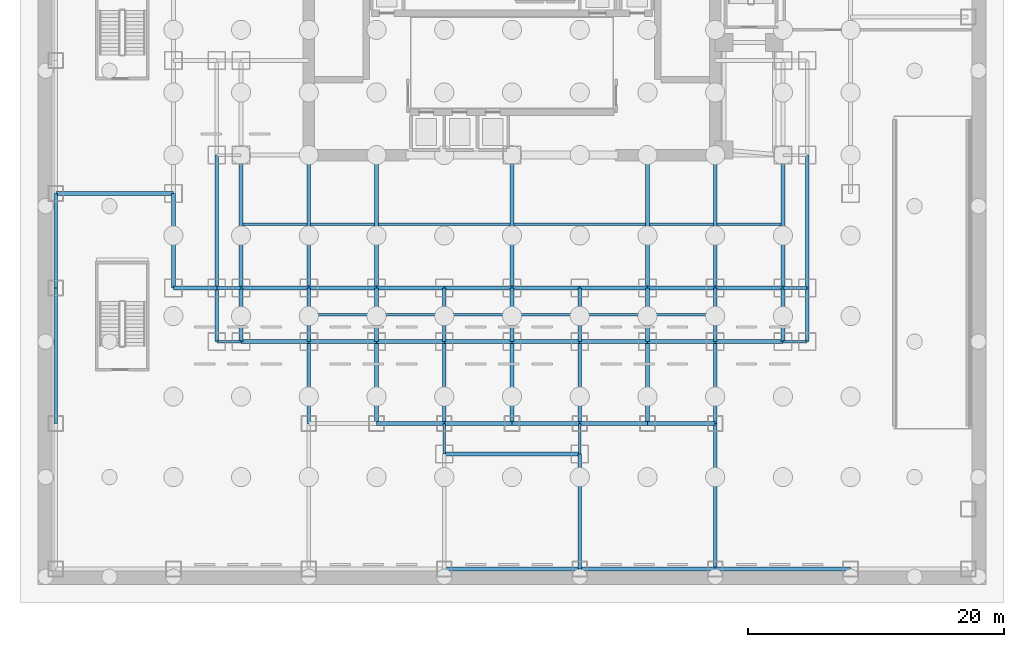
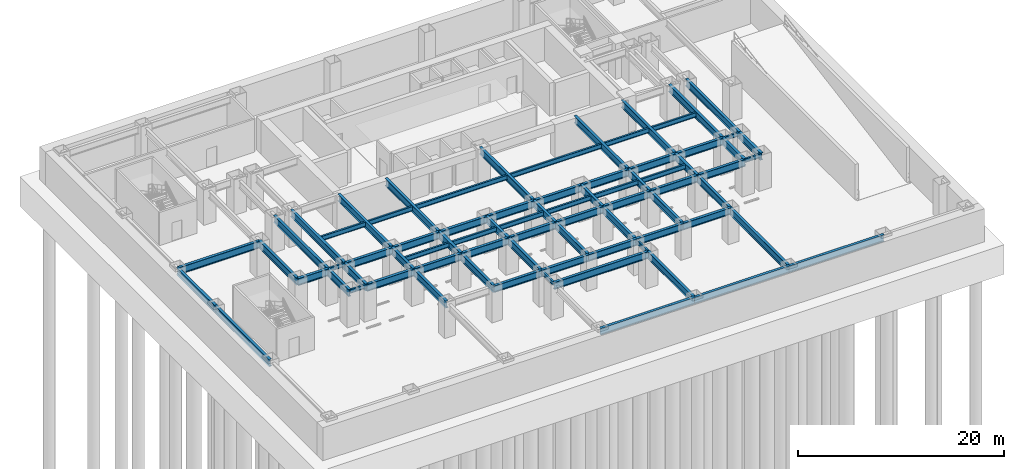
# One storey, part 2 of 7: 77 beams.
"""IFC4 building model written with IfcOpenShell, lengths in metres."""

from ifc_helpers import new_model, si_unit, direction, frame, origin, origin_2d, place, context, subcontext, project, spatial, i_section, extrude, material, material_profile, profile_set, type_object, element, save


model = new_model("IFC4")

# Units and contexts
model_context = context("Model", 3, precision=1e-05, world=origin(), true_north=direction((0.0, 1.0)))
body_context = subcontext(model_context, "Body", "Model", "MODEL_VIEW")
ifc_project = project(units=[si_unit("LENGTHUNIT", "METRE"), si_unit("AREAUNIT", "SQUARE_METRE"), si_unit("VOLUMEUNIT", "CUBIC_METRE"), si_unit("PLANEANGLEUNIT", "RADIAN"), si_unit("MASSUNIT", "GRAM", prefix="KILO")], contexts=[model_context])

# Site, building, storey
site_placement = place(None, origin())
site = spatial("IfcSite", under=ifc_project, at=site_placement, CompositionType="ELEMENT")
building_placement = place(site_placement, origin())
building = spatial("IfcBuilding", under=site, at=building_placement, Name="Qianlan Lanfeng Residences", CompositionType="ELEMENT")
storey_placement = place(building_placement, frame((0.0, 0.0, -8.39990234375)))
storey = spatial("IfcBuildingStorey", under=building, at=storey_placement, Name="B2", CompositionType="ELEMENT", Elevation=-8.39990234375)

# Beams
ifc_material = material(Name="Steel SN490B", Category="steel")
ifc_material_profile_1 = material_profile(ifc_material, i_section(OverallWidth=0.300048828125, OverallDepth=0.85009765625, WebThickness=0.01611328125, FlangeThickness=0.031982421875, at=origin_2d()), Name="H 850x300x16x32")
ifc_profile_set_1 = profile_set([ifc_material_profile_1], Name="Steel SN490B")
beam_type_1 = type_object("IfcBeamType", Name="G-1100", PredefinedType="BEAM", material=ifc_profile_set_1)
beam_1_placement = place(storey_placement, frame((21.199951171875, 1.800048828125, 3.494873046875), z_axis=(1.0, 0.0, 0.0), x_axis=(0.0, 1.0, 0.0)))
element("IfcBeam", 1, at=beam_1_placement, inside=storey, type_object=beam_type_1, Name="Structural beam G-1100", PredefinedType="BEAM", context=body_context, shape_type="SweptSolid", body=[
    extrude(i_section(OverallWidth=0.300048828125, OverallDepth=0.85009765625, WebThickness=0.01611328125, FlangeThickness=0.031982421875, at=origin_2d()), origin(), (0.0, 0.0, 1.0), 10.60009765625),
])
beam_2_placement = place(storey_placement, frame((5.300048828125, 10.60009765625, 3.494873046875), z_axis=(1.0, 0.0, 0.0), x_axis=(0.0, 1.0, 0.0)))
element("IfcBeam", 2, at=beam_2_placement, inside=storey, type_object=beam_type_1, Name="Structural beam G-1100", PredefinedType="BEAM", context=body_context, shape_type="SweptSolid", body=[
    extrude(i_section(OverallWidth=0.300048828125, OverallDepth=0.85009765625, WebThickness=0.01611328125, FlangeThickness=0.031982421875, at=origin_2d()), origin(), (0.0, 0.0, 1.0), 5.300048828125),
])
beam_3_placement = place(storey_placement, frame((10.60009765625, 10.60009765625, 3.494873046875), z_axis=(1.0, 0.0, 0.0), x_axis=(0.0, 1.0, 0.0)))
element("IfcBeam", 3, at=beam_3_placement, inside=storey, type_object=beam_type_1, Name="Structural beam G-1100", PredefinedType="BEAM", context=body_context, shape_type="SweptSolid", body=[
    extrude(i_section(OverallWidth=0.300048828125, OverallDepth=0.85009765625, WebThickness=0.01611328125, FlangeThickness=0.031982421875, at=origin_2d()), origin(), (0.0, 0.0, 1.0), 5.2998046875),
])
for number, where, z_axis, x_axis, name in (
    (4, (15.89990234375, 10.60009765625, 3.494873046875), (1.0, 0.0, 0.0), (0.0, 1.0, 0.0), "Structural beam G-1100"),
    (5, (21.199951171875, 10.60009765625, 3.494873046875), (1.0, 0.0, 0.0), (0.0, 1.0, 0.0), "Structural beam G-1100"),
    (6, (26.5, 10.60009765625, 3.494873046875), (1.0, 0.0, 0.0), (0.0, 1.0, 0.0), "Structural beam G-1100"),
    (7, (31.800048828125, 10.60009765625, 3.494873046875), (1.0, 0.0, 0.0), (0.0, 1.0, 0.0), "Structural beam G-1100"),
):
    element("IfcBeam", number, at=place(storey_placement, frame(where, z_axis=z_axis, x_axis=x_axis)), inside=storey, type_object=beam_type_1, Name=name, PredefinedType="BEAM", context=body_context, shape_type="SweptSolid", body=[
        extrude(i_section(OverallWidth=0.300048828125, OverallDepth=0.85009765625, WebThickness=0.01611328125, FlangeThickness=0.031982421875, at=origin_2d()), origin(), (0.0, 0.0, 1.0), 5.300048828125),
    ])
beam_4_placement = place(storey_placement, frame((37.10009765625, 10.60009765625, 3.494873046875), z_axis=(1.0, 0.0, 0.0), x_axis=(0.0, 1.0, 0.0)))
element("IfcBeam", 8, at=beam_4_placement, inside=storey, type_object=beam_type_1, Name="Structural beam G-1100", PredefinedType="BEAM", context=body_context, shape_type="SweptSolid", body=[
    extrude(i_section(OverallWidth=0.300048828125, OverallDepth=0.85009765625, WebThickness=0.01611328125, FlangeThickness=0.031982421875, at=origin_2d()), origin(), (0.0, 0.0, 1.0), 5.2998046875),
])
beam_5_placement = place(storey_placement, frame((42.39990234375, 10.60009765625, 3.494873046875), z_axis=(1.0, 0.0, 0.0), x_axis=(0.0, 1.0, 0.0)))
element("IfcBeam", 9, at=beam_5_placement, inside=storey, type_object=beam_type_1, Name="Structural beam G-1100", PredefinedType="BEAM", context=body_context, shape_type="SweptSolid", body=[
    extrude(i_section(OverallWidth=0.300048828125, OverallDepth=0.85009765625, WebThickness=0.01611328125, FlangeThickness=0.031982421875, at=origin_2d()), origin(), (0.0, 0.0, 1.0), 5.300048828125),
])
beam_6_placement = place(storey_placement, frame((0.0, 14.800048828125, 3.494873046875), z_axis=(1.0, 0.0, 0.0), x_axis=(0.0, 1.0, 0.0)))
element("IfcBeam", 10, at=beam_6_placement, inside=storey, type_object=beam_type_1, Name="Structural beam G-1100", PredefinedType="BEAM", context=body_context, shape_type="SweptSolid", body=[
    extrude(i_section(OverallWidth=0.300048828125, OverallDepth=0.85009765625, WebThickness=0.01611328125, FlangeThickness=0.031982421875, at=origin_2d()), origin(), (0.0, 0.0, 1.0), 3.39990234375),
])
beam_7_placement = place(storey_placement, frame((5.300048828125, 14.800048828125, 3.494873046875), z_axis=(1.0, 0.0, 0.0), x_axis=(0.0, 1.0, 0.0)))
element("IfcBeam", 11, at=beam_7_placement, inside=storey, type_object=beam_type_1, Name="Structural beam G-1100", PredefinedType="BEAM", context=body_context, shape_type="SweptSolid", body=[
    extrude(i_section(OverallWidth=0.300048828125, OverallDepth=0.85009765625, WebThickness=0.01611328125, FlangeThickness=0.031982421875, at=origin_2d()), origin(), (0.0, 0.0, 1.0), 5.300048828125),
])
beam_8_placement = place(storey_placement, frame((10.60009765625, 14.800048828125, 3.494873046875), z_axis=(1.0, 0.0, 0.0), x_axis=(0.0, 1.0, 0.0)))
element("IfcBeam", 12, at=beam_8_placement, inside=storey, type_object=beam_type_1, Name="Structural beam G-1100", PredefinedType="BEAM", context=body_context, shape_type="SweptSolid", body=[
    extrude(i_section(OverallWidth=0.300048828125, OverallDepth=0.85009765625, WebThickness=0.01611328125, FlangeThickness=0.031982421875, at=origin_2d()), origin(), (0.0, 0.0, 1.0), 5.2998046875),
])
for number, where, z_axis, x_axis, name in (
    (13, (15.89990234375, 14.800048828125, 3.494873046875), (1.0, 0.0, 0.0), (0.0, 1.0, 0.0), "Structural beam G-1100"),
    (14, (21.199951171875, 14.800048828125, 3.494873046875), (1.0, 0.0, 0.0), (0.0, 1.0, 0.0), "Structural beam G-1100"),
    (15, (26.5, 14.800048828125, 3.494873046875), (1.0, 0.0, 0.0), (0.0, 1.0, 0.0), "Structural beam G-1100"),
    (16, (31.800048828125, 14.800048828125, 3.494873046875), (1.0, 0.0, 0.0), (0.0, 1.0, 0.0), "Structural beam G-1100"),
):
    element("IfcBeam", number, at=place(storey_placement, frame(where, z_axis=z_axis, x_axis=x_axis)), inside=storey, type_object=beam_type_1, Name=name, PredefinedType="BEAM", context=body_context, shape_type="SweptSolid", body=[
        extrude(i_section(OverallWidth=0.300048828125, OverallDepth=0.85009765625, WebThickness=0.01611328125, FlangeThickness=0.031982421875, at=origin_2d()), origin(), (0.0, 0.0, 1.0), 5.300048828125),
    ])
beam_9_placement = place(storey_placement, frame((37.10009765625, 14.800048828125, 3.494873046875), z_axis=(1.0, 0.0, 0.0), x_axis=(0.0, 1.0, 0.0)))
element("IfcBeam", 17, at=beam_9_placement, inside=storey, type_object=beam_type_1, Name="Structural beam G-1100", PredefinedType="BEAM", context=body_context, shape_type="SweptSolid", body=[
    extrude(i_section(OverallWidth=0.300048828125, OverallDepth=0.85009765625, WebThickness=0.01611328125, FlangeThickness=0.031982421875, at=origin_2d()), origin(), (0.0, 0.0, 1.0), 5.2998046875),
])
beam_10_placement = place(storey_placement, frame((42.39990234375, 14.800048828125, 3.494873046875), z_axis=(1.0, 0.0, 0.0), x_axis=(0.0, 1.0, 0.0)))
element("IfcBeam", 18, at=beam_10_placement, inside=storey, type_object=beam_type_1, Name="Structural beam G-1100", PredefinedType="BEAM", context=body_context, shape_type="SweptSolid", body=[
    extrude(i_section(OverallWidth=0.300048828125, OverallDepth=0.85009765625, WebThickness=0.01611328125, FlangeThickness=0.031982421875, at=origin_2d()), origin(), (0.0, 0.0, 1.0), 5.300048828125),
])
beam_11_placement = place(storey_placement, frame((-9.199951171875, 22.199951171875, 3.494873046875), z_axis=(1.0, 0.0, 0.0), x_axis=(0.0, 1.0, 0.0)))
element("IfcBeam", 19, at=beam_11_placement, inside=storey, type_object=beam_type_1, Name="Structural beam G-1100", PredefinedType="BEAM", context=body_context, shape_type="SweptSolid", body=[
    extrude(i_section(OverallWidth=0.300048828125, OverallDepth=0.85009765625, WebThickness=0.01611328125, FlangeThickness=0.031982421875, at=origin_2d()), origin(), (0.0, 0.0, 1.0), 9.199951171875),
])
beam_12_placement = place(storey_placement, frame((-9.199951171875, 4.199951171875, 3.494873046875), z_axis=(0.0, 1.0, 0.0), x_axis=(-1.0, 0.0, 0.0)))
element("IfcBeam", 20, at=beam_12_placement, inside=storey, type_object=beam_type_1, Name="Structural beam G-1100", PredefinedType="BEAM", context=body_context, shape_type="SweptSolid", body=[
    extrude(i_section(OverallWidth=0.300048828125, OverallDepth=0.85009765625, WebThickness=0.01611328125, FlangeThickness=0.031982421875, at=origin_2d()), origin(), (0.0, 0.0, 1.0), 10.60009765625),
])
for number, where, z_axis, x_axis, name in (
    (21, (-9.199951171875, 14.800048828125, 3.494873046875), (0.0, 1.0, 0.0), (-1.0, 0.0, 0.0), "Structural beam G-1100"),
    (22, (0.0, 14.800048828125, 3.494873046875), (0.0, 1.0, 0.0), (-1.0, 0.0, 0.0), "Structural beam G-1100"),
):
    element("IfcBeam", number, at=place(storey_placement, frame(where, z_axis=z_axis, x_axis=x_axis)), inside=storey, type_object=beam_type_1, Name=name, PredefinedType="BEAM", context=body_context, shape_type="SweptSolid", body=[
        extrude(i_section(OverallWidth=0.300048828125, OverallDepth=0.85009765625, WebThickness=0.01611328125, FlangeThickness=0.031982421875, at=origin_2d()), origin(), (0.0, 0.0, 1.0), 7.39990234375),
    ])
beam_13_placement = place(storey_placement, frame((3.39990234375, 10.60009765625, 3.494873046875), z_axis=(0.0, 1.0, 0.0), x_axis=(-1.0, 0.0, 0.0)))
element("IfcBeam", 23, at=beam_13_placement, inside=storey, type_object=beam_type_1, Name="Structural beam G-1100", PredefinedType="BEAM", context=body_context, shape_type="SweptSolid", body=[
    extrude(i_section(OverallWidth=0.300048828125, OverallDepth=0.85009765625, WebThickness=0.01611328125, FlangeThickness=0.031982421875, at=origin_2d()), origin(), (0.0, 0.0, 1.0), 4.199951171875),
])
beam_14_placement = place(storey_placement, frame((3.39990234375, 14.800048828125, 3.494873046875), z_axis=(0.0, 1.0, 0.0), x_axis=(-1.0, 0.0, 0.0)))
element("IfcBeam", 24, at=beam_14_placement, inside=storey, type_object=beam_type_1, Name="Structural beam G-1100", PredefinedType="BEAM", context=body_context, shape_type="SweptSolid", body=[
    extrude(i_section(OverallWidth=0.300048828125, OverallDepth=0.85009765625, WebThickness=0.01611328125, FlangeThickness=0.031982421875, at=origin_2d()), origin(), (0.0, 0.0, 1.0), 10.39990234375),
])
beam_15_placement = place(storey_placement, frame((5.300048828125, 10.60009765625, 3.494873046875), z_axis=(0.0, 1.0, 0.0), x_axis=(-1.0, 0.0, 0.0)))
element("IfcBeam", 25, at=beam_15_placement, inside=storey, type_object=beam_type_1, Name="Structural beam G-1100", PredefinedType="BEAM", context=body_context, shape_type="SweptSolid", body=[
    extrude(i_section(OverallWidth=0.300048828125, OverallDepth=0.85009765625, WebThickness=0.01611328125, FlangeThickness=0.031982421875, at=origin_2d()), origin(), (0.0, 0.0, 1.0), 4.199951171875),
])
beam_16_placement = place(storey_placement, frame((5.300048828125, 14.800048828125, 3.494873046875), z_axis=(0.0, 1.0, 0.0), x_axis=(-1.0, 0.0, 0.0)))
element("IfcBeam", 26, at=beam_16_placement, inside=storey, type_object=beam_type_1, Name="Structural beam G-1100", PredefinedType="BEAM", context=body_context, shape_type="SweptSolid", body=[
    extrude(i_section(OverallWidth=0.300048828125, OverallDepth=0.85009765625, WebThickness=0.01611328125, FlangeThickness=0.031982421875, at=origin_2d()), origin(), (0.0, 0.0, 1.0), 10.39990234375),
])
beam_17_placement = place(storey_placement, frame((10.60009765625, 4.199951171875, 3.494873046875), z_axis=(0.0, 1.0, 0.0), x_axis=(-1.0, 0.0, 0.0)))
element("IfcBeam", 27, at=beam_17_placement, inside=storey, type_object=beam_type_1, Name="Structural beam G-1100", PredefinedType="BEAM", context=body_context, shape_type="SweptSolid", body=[
    extrude(i_section(OverallWidth=0.300048828125, OverallDepth=0.85009765625, WebThickness=0.01611328125, FlangeThickness=0.031982421875, at=origin_2d()), origin(), (0.0, 0.0, 1.0), 6.400146484375),
])
beam_18_placement = place(storey_placement, frame((10.60009765625, 10.60009765625, 3.494873046875), z_axis=(0.0, 1.0, 0.0), x_axis=(-1.0, 0.0, 0.0)))
element("IfcBeam", 28, at=beam_18_placement, inside=storey, type_object=beam_type_1, Name="Structural beam G-1100", PredefinedType="BEAM", context=body_context, shape_type="SweptSolid", body=[
    extrude(i_section(OverallWidth=0.300048828125, OverallDepth=0.85009765625, WebThickness=0.01611328125, FlangeThickness=0.031982421875, at=origin_2d()), origin(), (0.0, 0.0, 1.0), 4.199951171875),
])
beam_19_placement = place(storey_placement, frame((10.60009765625, 14.800048828125, 3.494873046875), z_axis=(0.0, 1.0, 0.0), x_axis=(-1.0, 0.0, 0.0)))
element("IfcBeam", 29, at=beam_19_placement, inside=storey, type_object=beam_type_1, Name="Structural beam G-1100", PredefinedType="BEAM", context=body_context, shape_type="SweptSolid", body=[
    extrude(i_section(OverallWidth=0.300048828125, OverallDepth=0.85009765625, WebThickness=0.01611328125, FlangeThickness=0.031982421875, at=origin_2d()), origin(), (0.0, 0.0, 1.0), 10.39990234375),
])
beam_20_placement = place(storey_placement, frame((15.89990234375, 4.199951171875, 3.494873046875), z_axis=(0.0, 1.0, 0.0), x_axis=(-1.0, 0.0, 0.0)))
element("IfcBeam", 30, at=beam_20_placement, inside=storey, type_object=beam_type_1, Name="Structural beam G-1100", PredefinedType="BEAM", context=body_context, shape_type="SweptSolid", body=[
    extrude(i_section(OverallWidth=0.300048828125, OverallDepth=0.85009765625, WebThickness=0.01611328125, FlangeThickness=0.031982421875, at=origin_2d()), origin(), (0.0, 0.0, 1.0), 6.400146484375),
])
beam_21_placement = place(storey_placement, frame((15.89990234375, 10.60009765625, 3.494873046875), z_axis=(0.0, 1.0, 0.0), x_axis=(-1.0, 0.0, 0.0)))
element("IfcBeam", 31, at=beam_21_placement, inside=storey, type_object=beam_type_1, Name="Structural beam G-1100", PredefinedType="BEAM", context=body_context, shape_type="SweptSolid", body=[
    extrude(i_section(OverallWidth=0.300048828125, OverallDepth=0.85009765625, WebThickness=0.01611328125, FlangeThickness=0.031982421875, at=origin_2d()), origin(), (0.0, 0.0, 1.0), 4.199951171875),
])
beam_22_placement = place(storey_placement, frame((15.89990234375, 14.800048828125, 3.494873046875), z_axis=(0.0, 1.0, 0.0), x_axis=(-1.0, 0.0, 0.0)))
element("IfcBeam", 32, at=beam_22_placement, inside=storey, type_object=beam_type_1, Name="Structural beam G-1100", PredefinedType="BEAM", context=body_context, shape_type="SweptSolid", body=[
    extrude(i_section(OverallWidth=0.300048828125, OverallDepth=0.85009765625, WebThickness=0.01611328125, FlangeThickness=0.031982421875, at=origin_2d()), origin(), (0.0, 0.0, 1.0), 10.39990234375),
])
beam_23_placement = place(storey_placement, frame((21.199951171875, 4.199951171875, 3.494873046875), z_axis=(0.0, 1.0, 0.0), x_axis=(-1.0, 0.0, 0.0)))
element("IfcBeam", 33, at=beam_23_placement, inside=storey, type_object=beam_type_1, Name="Structural beam G-1100", PredefinedType="BEAM", context=body_context, shape_type="SweptSolid", body=[
    extrude(i_section(OverallWidth=0.300048828125, OverallDepth=0.85009765625, WebThickness=0.01611328125, FlangeThickness=0.031982421875, at=origin_2d()), origin(), (0.0, 0.0, 1.0), 6.400146484375),
])
beam_24_placement = place(storey_placement, frame((21.199951171875, 10.60009765625, 3.494873046875), z_axis=(0.0, 1.0, 0.0), x_axis=(-1.0, 0.0, 0.0)))
element("IfcBeam", 34, at=beam_24_placement, inside=storey, type_object=beam_type_1, Name="Structural beam G-1100", PredefinedType="BEAM", context=body_context, shape_type="SweptSolid", body=[
    extrude(i_section(OverallWidth=0.300048828125, OverallDepth=0.85009765625, WebThickness=0.01611328125, FlangeThickness=0.031982421875, at=origin_2d()), origin(), (0.0, 0.0, 1.0), 4.199951171875),
])
beam_25_placement = place(storey_placement, frame((26.5, 4.199951171875, 3.494873046875), z_axis=(0.0, 1.0, 0.0), x_axis=(-1.0, 0.0, 0.0)))
element("IfcBeam", 35, at=beam_25_placement, inside=storey, type_object=beam_type_1, Name="Structural beam G-1100", PredefinedType="BEAM", context=body_context, shape_type="SweptSolid", body=[
    extrude(i_section(OverallWidth=0.300048828125, OverallDepth=0.85009765625, WebThickness=0.01611328125, FlangeThickness=0.031982421875, at=origin_2d()), origin(), (0.0, 0.0, 1.0), 6.400146484375),
])
beam_26_placement = place(storey_placement, frame((26.5, 10.60009765625, 3.494873046875), z_axis=(0.0, 1.0, 0.0), x_axis=(-1.0, 0.0, 0.0)))
element("IfcBeam", 36, at=beam_26_placement, inside=storey, type_object=beam_type_1, Name="Structural beam G-1100", PredefinedType="BEAM", context=body_context, shape_type="SweptSolid", body=[
    extrude(i_section(OverallWidth=0.300048828125, OverallDepth=0.85009765625, WebThickness=0.01611328125, FlangeThickness=0.031982421875, at=origin_2d()), origin(), (0.0, 0.0, 1.0), 4.199951171875),
])
beam_27_placement = place(storey_placement, frame((26.5, 14.800048828125, 3.494873046875), z_axis=(0.0, 1.0, 0.0), x_axis=(-1.0, 0.0, 0.0)))
element("IfcBeam", 37, at=beam_27_placement, inside=storey, type_object=beam_type_1, Name="Structural beam G-1100", PredefinedType="BEAM", context=body_context, shape_type="SweptSolid", body=[
    extrude(i_section(OverallWidth=0.300048828125, OverallDepth=0.85009765625, WebThickness=0.01611328125, FlangeThickness=0.031982421875, at=origin_2d()), origin(), (0.0, 0.0, 1.0), 10.39990234375),
])
beam_28_placement = place(storey_placement, frame((31.800048828125, -7.199951171875, 3.494873046875), z_axis=(0.0, 1.0, 0.0), x_axis=(-1.0, 0.0, 0.0)))
element("IfcBeam", 38, at=beam_28_placement, inside=storey, type_object=beam_type_1, Name="Structural beam G-1100", PredefinedType="BEAM", context=body_context, shape_type="SweptSolid", body=[
    extrude(i_section(OverallWidth=0.300048828125, OverallDepth=0.85009765625, WebThickness=0.01611328125, FlangeThickness=0.031982421875, at=origin_2d()), origin(), (0.0, 0.0, 1.0), 9.0),
])
beam_29_placement = place(storey_placement, frame((31.800048828125, 4.199951171875, 3.494873046875), z_axis=(0.0, 1.0, 0.0), x_axis=(-1.0, 0.0, 0.0)))
element("IfcBeam", 39, at=beam_29_placement, inside=storey, type_object=beam_type_1, Name="Structural beam G-1100", PredefinedType="BEAM", context=body_context, shape_type="SweptSolid", body=[
    extrude(i_section(OverallWidth=0.300048828125, OverallDepth=0.85009765625, WebThickness=0.01611328125, FlangeThickness=0.031982421875, at=origin_2d()), origin(), (0.0, 0.0, 1.0), 6.400146484375),
])
beam_30_placement = place(storey_placement, frame((31.800048828125, 10.60009765625, 3.494873046875), z_axis=(0.0, 1.0, 0.0), x_axis=(-1.0, 0.0, 0.0)))
element("IfcBeam", 40, at=beam_30_placement, inside=storey, type_object=beam_type_1, Name="Structural beam G-1100", PredefinedType="BEAM", context=body_context, shape_type="SweptSolid", body=[
    extrude(i_section(OverallWidth=0.300048828125, OverallDepth=0.85009765625, WebThickness=0.01611328125, FlangeThickness=0.031982421875, at=origin_2d()), origin(), (0.0, 0.0, 1.0), 4.199951171875),
])
beam_31_placement = place(storey_placement, frame((37.10009765625, 4.199951171875, 3.494873046875), z_axis=(0.0, 1.0, 0.0), x_axis=(-1.0, 0.0, 0.0)))
element("IfcBeam", 41, at=beam_31_placement, inside=storey, type_object=beam_type_1, Name="Structural beam G-1100", PredefinedType="BEAM", context=body_context, shape_type="SweptSolid", body=[
    extrude(i_section(OverallWidth=0.300048828125, OverallDepth=0.85009765625, WebThickness=0.01611328125, FlangeThickness=0.031982421875, at=origin_2d()), origin(), (0.0, 0.0, 1.0), 6.400146484375),
])
beam_32_placement = place(storey_placement, frame((37.10009765625, 10.60009765625, 3.494873046875), z_axis=(0.0, 1.0, 0.0), x_axis=(-1.0, 0.0, 0.0)))
element("IfcBeam", 42, at=beam_32_placement, inside=storey, type_object=beam_type_1, Name="Structural beam G-1100", PredefinedType="BEAM", context=body_context, shape_type="SweptSolid", body=[
    extrude(i_section(OverallWidth=0.300048828125, OverallDepth=0.85009765625, WebThickness=0.01611328125, FlangeThickness=0.031982421875, at=origin_2d()), origin(), (0.0, 0.0, 1.0), 4.199951171875),
])
beam_33_placement = place(storey_placement, frame((37.10009765625, 14.800048828125, 3.494873046875), z_axis=(0.0, 1.0, 0.0), x_axis=(-1.0, 0.0, 0.0)))
element("IfcBeam", 43, at=beam_33_placement, inside=storey, type_object=beam_type_1, Name="Structural beam G-1100", PredefinedType="BEAM", context=body_context, shape_type="SweptSolid", body=[
    extrude(i_section(OverallWidth=0.300048828125, OverallDepth=0.85009765625, WebThickness=0.01611328125, FlangeThickness=0.031982421875, at=origin_2d()), origin(), (0.0, 0.0, 1.0), 10.39990234375),
])
beam_34_placement = place(storey_placement, frame((42.39990234375, -7.199951171875, 3.494873046875), z_axis=(0.0, 1.0, 0.0), x_axis=(-1.0, 0.0, 0.0)))
element("IfcBeam", 44, at=beam_34_placement, inside=storey, type_object=beam_type_1, Name="Structural beam G-1100", PredefinedType="BEAM", context=body_context, shape_type="SweptSolid", body=[
    extrude(i_section(OverallWidth=0.300048828125, OverallDepth=0.85009765625, WebThickness=0.01611328125, FlangeThickness=0.031982421875, at=origin_2d()), origin(), (0.0, 0.0, 1.0), 11.39990234375),
])
beam_35_placement = place(storey_placement, frame((42.39990234375, 4.199951171875, 3.494873046875), z_axis=(0.0, 1.0, 0.0), x_axis=(-1.0, 0.0, 0.0)))
element("IfcBeam", 45, at=beam_35_placement, inside=storey, type_object=beam_type_1, Name="Structural beam G-1100", PredefinedType="BEAM", context=body_context, shape_type="SweptSolid", body=[
    extrude(i_section(OverallWidth=0.300048828125, OverallDepth=0.85009765625, WebThickness=0.01611328125, FlangeThickness=0.031982421875, at=origin_2d()), origin(), (0.0, 0.0, 1.0), 6.400146484375),
])
beam_36_placement = place(storey_placement, frame((42.39990234375, 10.60009765625, 3.494873046875), z_axis=(0.0, 1.0, 0.0), x_axis=(-1.0, 0.0, 0.0)))
element("IfcBeam", 46, at=beam_36_placement, inside=storey, type_object=beam_type_1, Name="Structural beam G-1100", PredefinedType="BEAM", context=body_context, shape_type="SweptSolid", body=[
    extrude(i_section(OverallWidth=0.300048828125, OverallDepth=0.85009765625, WebThickness=0.01611328125, FlangeThickness=0.031982421875, at=origin_2d()), origin(), (0.0, 0.0, 1.0), 4.199951171875),
])
beam_37_placement = place(storey_placement, frame((42.39990234375, 14.800048828125, 3.494873046875), z_axis=(0.0, 1.0, 0.0), x_axis=(-1.0, 0.0, 0.0)))
element("IfcBeam", 47, at=beam_37_placement, inside=storey, type_object=beam_type_1, Name="Structural beam G-1100", PredefinedType="BEAM", context=body_context, shape_type="SweptSolid", body=[
    extrude(i_section(OverallWidth=0.300048828125, OverallDepth=0.85009765625, WebThickness=0.01611328125, FlangeThickness=0.031982421875, at=origin_2d()), origin(), (0.0, 0.0, 1.0), 10.39990234375),
])
beam_38_placement = place(storey_placement, frame((47.699951171875, 10.60009765625, 3.494873046875), z_axis=(0.0, 1.0, 0.0), x_axis=(-1.0, 0.0, 0.0)))
element("IfcBeam", 48, at=beam_38_placement, inside=storey, type_object=beam_type_1, Name="Structural beam G-1100", PredefinedType="BEAM", context=body_context, shape_type="SweptSolid", body=[
    extrude(i_section(OverallWidth=0.300048828125, OverallDepth=0.85009765625, WebThickness=0.01611328125, FlangeThickness=0.031982421875, at=origin_2d()), origin(), (0.0, 0.0, 1.0), 4.199951171875),
])
beam_39_placement = place(storey_placement, frame((47.699951171875, 14.800048828125, 3.494873046875), z_axis=(0.0, 1.0, 0.0), x_axis=(-1.0, 0.0, 0.0)))
element("IfcBeam", 49, at=beam_39_placement, inside=storey, type_object=beam_type_1, Name="Structural beam G-1100", PredefinedType="BEAM", context=body_context, shape_type="SweptSolid", body=[
    extrude(i_section(OverallWidth=0.300048828125, OverallDepth=0.85009765625, WebThickness=0.01611328125, FlangeThickness=0.031982421875, at=origin_2d()), origin(), (0.0, 0.0, 1.0), 10.39990234375),
])
beam_40_placement = place(storey_placement, frame((49.60009765625, 10.60009765625, 3.494873046875), z_axis=(0.0, 1.0, 0.0), x_axis=(-1.0, 0.0, 0.0)))
element("IfcBeam", 50, at=beam_40_placement, inside=storey, type_object=beam_type_1, Name="Structural beam G-1100", PredefinedType="BEAM", context=body_context, shape_type="SweptSolid", body=[
    extrude(i_section(OverallWidth=0.300048828125, OverallDepth=0.85009765625, WebThickness=0.01611328125, FlangeThickness=0.031982421875, at=origin_2d()), origin(), (0.0, 0.0, 1.0), 4.199951171875),
])
beam_41_placement = place(storey_placement, frame((49.60009765625, 14.800048828125, 3.494873046875), z_axis=(0.0, 1.0, 0.0), x_axis=(-1.0, 0.0, 0.0)))
element("IfcBeam", 51, at=beam_41_placement, inside=storey, type_object=beam_type_1, Name="Structural beam G-1100", PredefinedType="BEAM", context=body_context, shape_type="SweptSolid", body=[
    extrude(i_section(OverallWidth=0.300048828125, OverallDepth=0.85009765625, WebThickness=0.01611328125, FlangeThickness=0.031982421875, at=origin_2d()), origin(), (0.0, 0.0, 1.0), 10.39990234375),
])
ifc_material_profile_2 = material_profile(ifc_material, i_section(OverallWidth=0.199951171875, OverallDepth=0.449951171875, WebThickness=0.009033203125, FlangeThickness=0.013916015625, at=origin_2d()), Name="H 450x200x9x14")
ifc_profile_set_2 = profile_set([ifc_material_profile_2], Name="Steel SN490B")
beam_type_2 = type_object("IfcBeamType", Name="J-450", PredefinedType="JOIST", material=ifc_profile_set_2)
for number, where, z_axis, x_axis, name in (
    (52, (3.39990234375, 10.60009765625, 3.69482421875), (1.0, 0.0, 0.0), (0.0, 1.0, 0.0), "Structural beam J-450"),
    (53, (47.699951171875, 10.60009765625, 3.69482421875), (1.0, 0.0, 0.0), (0.0, 1.0, 0.0), "Structural beam J-450"),
    (54, (3.39990234375, 14.800048828125, 3.69482421875), (1.0, 0.0, 0.0), (0.0, 1.0, 0.0), "Structural beam J-450"),
    (55, (47.699951171875, 14.800048828125, 3.69482421875), (1.0, 0.0, 0.0), (0.0, 1.0, 0.0), "Structural beam J-450"),
):
    element("IfcBeam", number, at=place(storey_placement, frame(where, z_axis=z_axis, x_axis=x_axis)), inside=storey, type_object=beam_type_2, Name=name, PredefinedType="JOIST", context=body_context, shape_type="SweptSolid", body=[
        extrude(i_section(OverallWidth=0.199951171875, OverallDepth=0.449951171875, WebThickness=0.009033203125, FlangeThickness=0.013916015625, at=origin_2d()), origin(), (0.0, 0.0, 1.0), 1.900146484375),
    ])
for number, where, z_axis, x_axis, name in (
    (56, (21.199951171875, 1.800048828125, 3.69482421875), (0.0, 1.0, 0.0), (-1.0, 0.0, 0.0), "Structural beam J-450"),
    (57, (31.800048828125, 1.800048828125, 3.69482421875), (0.0, 1.0, 0.0), (-1.0, 0.0, 0.0), "Structural beam J-450"),
):
    element("IfcBeam", number, at=place(storey_placement, frame(where, z_axis=z_axis, x_axis=x_axis)), inside=storey, type_object=beam_type_2, Name=name, PredefinedType="JOIST", context=body_context, shape_type="SweptSolid", body=[
        extrude(i_section(OverallWidth=0.199951171875, OverallDepth=0.449951171875, WebThickness=0.009033203125, FlangeThickness=0.013916015625, at=origin_2d()), origin(), (0.0, 0.0, 1.0), 2.39990234375),
    ])
ifc_material_profile_3 = material_profile(ifc_material, i_section(OverallWidth=0.199951171875, OverallDepth=0.550048828125, WebThickness=0.010986328125, FlangeThickness=0.01806640625, at=origin_2d()), Name="H 550x200x11x18")
ifc_profile_set_3 = profile_set([ifc_material_profile_3], Name="Steel SN490B")
beam_type_3 = type_object("IfcBeamType", Name="J-550", PredefinedType="JOIST", material=ifc_profile_set_3)
for number, where, z_axis, x_axis, name in (
    (58, (10.75, 12.699951171875, 3.64501953125), (1.0, 0.0, 0.0), (0.0, 1.0, 0.0), "Structural beam J-550"),
    (59, (16.050048828125, 12.699951171875, 3.64501953125), (1.0, 0.0, 0.0), (0.0, 1.0, 0.0), "Structural beam J-550"),
    (60, (21.35009765625, 12.699951171875, 3.64501953125), (1.0, 0.0, 0.0), (0.0, 1.0, 0.0), "Structural beam J-550"),
    (61, (26.64990234375, 12.699951171875, 3.64501953125), (1.0, 0.0, 0.0), (0.0, 1.0, 0.0), "Structural beam J-550"),
    (62, (31.949951171875, 12.699951171875, 3.64501953125), (1.0, 0.0, 0.0), (0.0, 1.0, 0.0), "Structural beam J-550"),
    (63, (37.25, 12.699951171875, 3.64501953125), (1.0, 0.0, 0.0), (0.0, 1.0, 0.0), "Structural beam J-550"),
    (64, (5.449951171875, 19.800048828125, 3.64501953125), (1.0, 0.0, 0.0), (0.0, 1.0, 0.0), "Structural beam J-550"),
    (65, (10.75, 19.800048828125, 3.64501953125), (1.0, 0.0, 0.0), (0.0, 1.0, 0.0), "Structural beam J-550"),
):
    element("IfcBeam", number, at=place(storey_placement, frame(where, z_axis=z_axis, x_axis=x_axis)), inside=storey, type_object=beam_type_3, Name=name, PredefinedType="JOIST", context=body_context, shape_type="SweptSolid", body=[
        extrude(i_section(OverallWidth=0.199951171875, OverallDepth=0.550048828125, WebThickness=0.010986328125, FlangeThickness=0.01806640625, at=origin_2d()), origin(), (0.0, 0.0, 1.0), 5.0),
    ])
for number, where, z_axis, x_axis, name in (
    (66, (16.050048828125, 19.800048828125, 3.64501953125), (1.0, 0.0, 0.0), (0.0, 1.0, 0.0), "Structural beam J-550"),
    (67, (26.64990234375, 19.800048828125, 3.64501953125), (1.0, 0.0, 0.0), (0.0, 1.0, 0.0), "Structural beam J-550"),
):
    element("IfcBeam", number, at=place(storey_placement, frame(where, z_axis=z_axis, x_axis=x_axis)), inside=storey, type_object=beam_type_3, Name=name, PredefinedType="JOIST", context=body_context, shape_type="SweptSolid", body=[
        extrude(i_section(OverallWidth=0.199951171875, OverallDepth=0.550048828125, WebThickness=0.010986328125, FlangeThickness=0.01806640625, at=origin_2d()), origin(), (0.0, 0.0, 1.0), 10.300048828125),
    ])
for number, where, z_axis, x_axis, name in (
    (68, (37.25, 19.800048828125, 3.64501953125), (1.0, 0.0, 0.0), (0.0, 1.0, 0.0), "Structural beam J-550"),
    (69, (42.550048828125, 19.800048828125, 3.64501953125), (1.0, 0.0, 0.0), (0.0, 1.0, 0.0), "Structural beam J-550"),
):
    element("IfcBeam", number, at=place(storey_placement, frame(where, z_axis=z_axis, x_axis=x_axis)), inside=storey, type_object=beam_type_3, Name=name, PredefinedType="JOIST", context=body_context, shape_type="SweptSolid", body=[
        extrude(i_section(OverallWidth=0.199951171875, OverallDepth=0.550048828125, WebThickness=0.010986328125, FlangeThickness=0.01806640625, at=origin_2d()), origin(), (0.0, 0.0, 1.0), 5.0),
    ])
ifc_material_profile_4 = material_profile(ifc_material, i_section(OverallWidth=0.300048828125, OverallDepth=0.800048828125, WebThickness=0.01611328125, FlangeThickness=0.028076171875, at=origin_2d()), Name="H 800x300x16x28")
ifc_profile_set_4 = profile_set([ifc_material_profile_4], Name="Steel SN490B")
beam_type_4 = type_object("IfcBeamType", Name="SG-950", PredefinedType="SPANDREL", material=ifc_profile_set_4)
beam_42_placement = place(storey_placement, frame((21.199951171875, -7.199951171875, 3.52001953125), z_axis=(1.0, 0.0, 0.0), x_axis=(0.0, 1.0, 0.0)))
element("IfcBeam", 70, at=beam_42_placement, inside=storey, type_object=beam_type_4, Name="Structural beam SG-950", PredefinedType="SPANDREL", context=body_context, shape_type="SweptSolid", body=[
    extrude(i_section(OverallWidth=0.300048828125, OverallDepth=0.800048828125, WebThickness=0.01611328125, FlangeThickness=0.028076171875, at=origin_2d()), origin(), (0.0, 0.0, 1.0), 10.60009765625),
])
beam_43_placement = place(storey_placement, frame((31.800048828125, -7.199951171875, 3.52001953125), z_axis=(1.0, 0.0, 0.0), x_axis=(0.0, 1.0, 0.0)))
element("IfcBeam", 71, at=beam_43_placement, inside=storey, type_object=beam_type_4, Name="Structural beam SG-950", PredefinedType="SPANDREL", context=body_context, shape_type="SweptSolid", body=[
    extrude(i_section(OverallWidth=0.300048828125, OverallDepth=0.800048828125, WebThickness=0.01611328125, FlangeThickness=0.028076171875, at=origin_2d()), origin(), (0.0, 0.0, 1.0), 10.599853515625),
])
beam_44_placement = place(storey_placement, frame((42.39990234375, -7.199951171875, 3.52001953125), z_axis=(1.0, 0.0, 0.0), x_axis=(0.0, 1.0, 0.0)))
element("IfcBeam", 72, at=beam_44_placement, inside=storey, type_object=beam_type_4, Name="Structural beam SG-950", PredefinedType="SPANDREL", context=body_context, shape_type="SweptSolid", body=[
    extrude(i_section(OverallWidth=0.300048828125, OverallDepth=0.800048828125, WebThickness=0.01611328125, FlangeThickness=0.028076171875, at=origin_2d()), origin(), (0.0, 0.0, 1.0), 10.60009765625),
])
for number, where, z_axis, x_axis, name in (
    (73, (15.89990234375, 4.199951171875, 3.52001953125), (1.0, 0.0, 0.0), (0.0, 1.0, 0.0), "Structural beam SG-950"),
    (74, (21.199951171875, 4.199951171875, 3.52001953125), (1.0, 0.0, 0.0), (0.0, 1.0, 0.0), "Structural beam SG-950"),
    (75, (26.5, 4.199951171875, 3.52001953125), (1.0, 0.0, 0.0), (0.0, 1.0, 0.0), "Structural beam SG-950"),
    (76, (31.800048828125, 4.199951171875, 3.52001953125), (1.0, 0.0, 0.0), (0.0, 1.0, 0.0), "Structural beam SG-950"),
):
    element("IfcBeam", number, at=place(storey_placement, frame(where, z_axis=z_axis, x_axis=x_axis)), inside=storey, type_object=beam_type_4, Name=name, PredefinedType="SPANDREL", context=body_context, shape_type="SweptSolid", body=[
        extrude(i_section(OverallWidth=0.300048828125, OverallDepth=0.800048828125, WebThickness=0.01611328125, FlangeThickness=0.028076171875, at=origin_2d()), origin(), (0.0, 0.0, 1.0), 5.300048828125),
    ])
beam_45_placement = place(storey_placement, frame((37.10009765625, 4.199951171875, 3.52001953125), z_axis=(1.0, 0.0, 0.0), x_axis=(0.0, 1.0, 0.0)))
element("IfcBeam", 77, at=beam_45_placement, inside=storey, type_object=beam_type_4, Name="Structural beam SG-950", PredefinedType="SPANDREL", context=body_context, shape_type="SweptSolid", body=[
    extrude(i_section(OverallWidth=0.300048828125, OverallDepth=0.800048828125, WebThickness=0.01611328125, FlangeThickness=0.028076171875, at=origin_2d()), origin(), (0.0, 0.0, 1.0), 5.2998046875),
])

save(model, "model.ifc")
